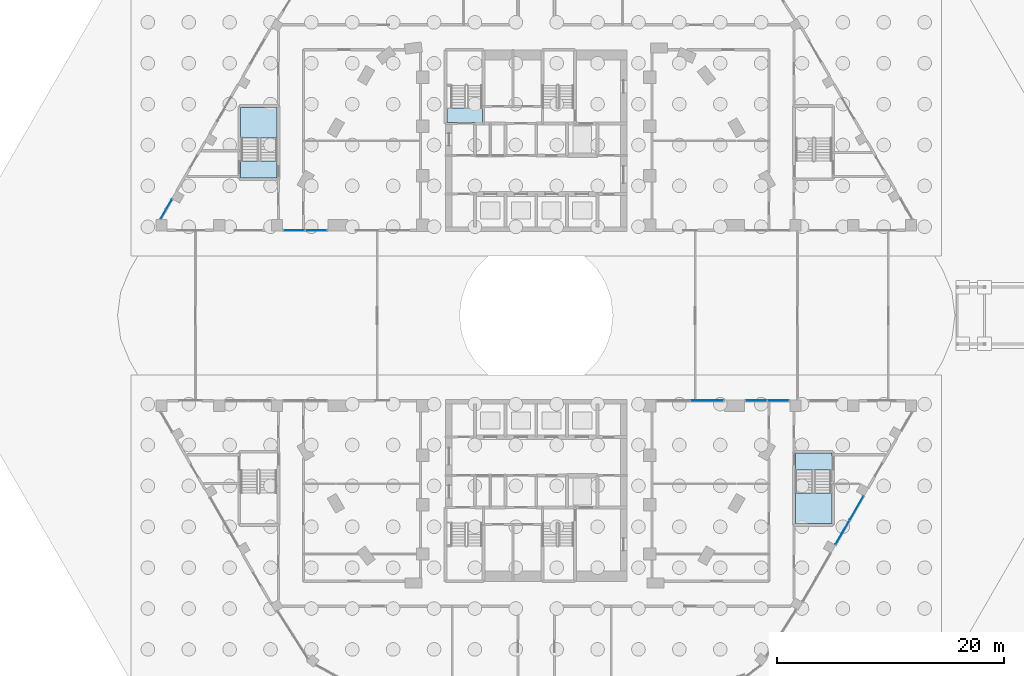
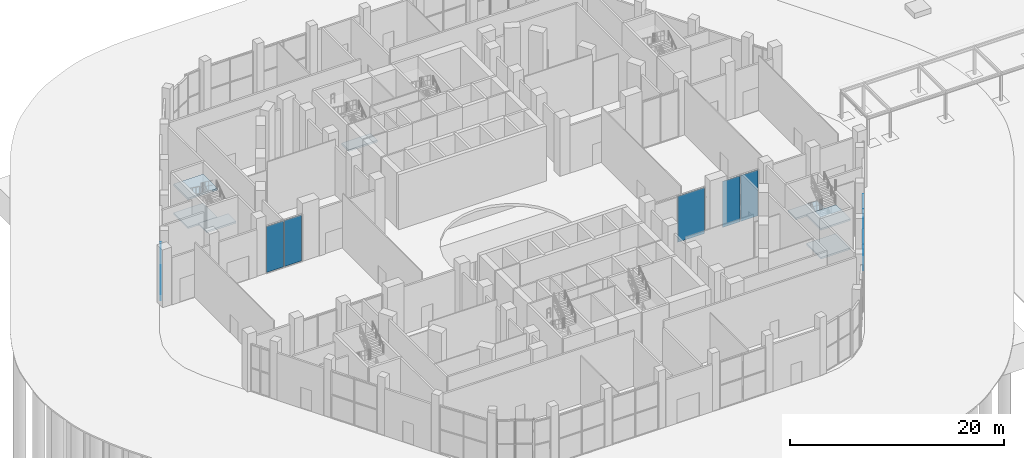
# One storey, part 19 of 44: 13 plates, 7 slabs, 8 elements without a shape of their own.
"""IFC4 building model written with IfcOpenShell, lengths in metres."""

from ifc_helpers import new_model, si_unit, direction, frame, origin, origin_2d, place, context, subcontext, project, spatial, polyline, rectangle, outline, extrude, material, layer, layer_set, type_object, element, aggregate, save


model = new_model("IFC4")

# Units and contexts
model_context = context("Model", 3, precision=1e-05, world=origin(), true_north=direction((0.0, 1.0)))
body_context = subcontext(model_context, "Body", "Model", "MODEL_VIEW")
ifc_project = project(units=[si_unit("LENGTHUNIT", "METRE"), si_unit("AREAUNIT", "SQUARE_METRE"), si_unit("VOLUMEUNIT", "CUBIC_METRE"), si_unit("PLANEANGLEUNIT", "RADIAN"), si_unit("MASSUNIT", "GRAM", prefix="KILO")], contexts=[model_context])

# Site, building, storey
site_placement = place(None, origin())
site = spatial("IfcSite", under=ifc_project, at=site_placement, CompositionType="ELEMENT")
building_placement = place(site_placement, origin())
building = spatial("IfcBuilding", under=site, at=building_placement, Name="Nakaniwa Court", CompositionType="ELEMENT")
storey_placement = place(building_placement, origin())
storey = spatial("IfcBuildingStorey", under=building, at=storey_placement, Name="L00", CompositionType="ELEMENT", Elevation=0.0)

# Curtain wall, plates
ifc_material_1 = material(Name="Black anodised aluminium frame with dark low-E laminated double glazing", Category="aluminium")
ifc_layer_1 = layer(ifc_material_1, 0.199951171875)
ifc_layer_set_1 = layer_set([ifc_layer_1], Name="Black anodised aluminium frame with dark low-E laminated double glazing")
curtain_wall_type_1 = type_object("IfcCurtainWallType", Name="Concourse stick curtain wall", PredefinedType="NOTDEFINED", material=ifc_layer_set_1)
curtain_wall_1_placement = place(storey_placement, origin())
curtain_wall_1 = element("IfcCurtainWall", 1, at=curtain_wall_1_placement, inside=storey, type_object=curtain_wall_type_1, Name="L00 curtain wall CW2 01", PredefinedType="NOTDEFINED")
ifc_material_2 = material(Name="Dark toughened glass", Category="glass")
ifc_layer_2 = layer(ifc_material_2, 0.006, Name="Outer pane")
ifc_material_3 = material(Name="Argon filled cavity")
ifc_layer_3 = layer(ifc_material_3, 0.016, Name="Cavity")
ifc_material_4 = material(Name="Dark laminated safety glass", Category="glass")
ifc_layer_4 = layer(ifc_material_4, 0.006, Name="Inner pane")
ifc_layer_set_2 = layer_set([ifc_layer_2, ifc_layer_3, ifc_layer_4], Name="Dark low-E laminated double glazing")
plate_type_1 = type_object("IfcPlateType", Name="Concourse stick curtain wall glass panel", PredefinedType="CURTAIN_PANEL", material=ifc_layer_set_2)
plate_1_placement = place(storey_placement, frame((106.95703125, 60.89111328125, 0.06005859375), z_axis=(0.0, 0.0, 1.0), x_axis=(0.499987941889, 0.866032365426, 0.0)))
plate_1 = element("IfcPlate", 2, at=plate_1_placement, type_object=plate_type_1, Name="CW2 panel 1.1", PredefinedType="CURTAIN_PANEL", context=body_context, shape_type="SweptSolid", body=[
    extrude(rectangle(XDim=2.4150390625, YDim=0.028076171875, at=origin_2d()), origin(), (0.0, 0.0, 1.0), 2.610107421875),
])
plate_2_placement = place(storey_placement, frame((106.95703125, 60.89111328125, 2.72998046875), z_axis=(0.0, 0.0, 1.0), x_axis=(0.499987941889, 0.866032365426, 0.0)))
plate_2 = element("IfcPlate", 3, at=plate_2_placement, type_object=plate_type_1, Name="CW2 panel 1.2", PredefinedType="CURTAIN_PANEL", context=body_context, shape_type="SweptSolid", body=[
    extrude(rectangle(XDim=2.4150390625, YDim=0.028076171875, at=origin_2d()), origin(), (0.0, 0.0, 1.0), 2.610107421875),
])
plate_3_placement = place(storey_placement, frame((108.194580078125, 63.03466796875, 0.06005859375), z_axis=(0.0, 0.0, 1.0), x_axis=(0.499987941889, 0.866032365426, 0.0)))
plate_3 = element("IfcPlate", 4, at=plate_3_placement, type_object=plate_type_1, Name="CW2 panel 2.1", PredefinedType="CURTAIN_PANEL", context=body_context, shape_type="SweptSolid", body=[
    extrude(rectangle(XDim=2.4150390625, YDim=0.028076171875, at=origin_2d()), origin(), (0.0, 0.0, 1.0), 2.610107421875),
])
plate_4_placement = place(storey_placement, frame((108.194580078125, 63.03466796875, 2.72998046875), z_axis=(0.0, 0.0, 1.0), x_axis=(0.499987941889, 0.866032365426, 0.0)))
plate_4 = element("IfcPlate", 5, at=plate_4_placement, type_object=plate_type_1, Name="CW2 panel 2.2", PredefinedType="CURTAIN_PANEL", context=body_context, shape_type="SweptSolid", body=[
    extrude(rectangle(XDim=2.4150390625, YDim=0.028076171875, at=origin_2d()), origin(), (0.0, 0.0, 1.0), 2.610107421875),
])
aggregate(curtain_wall_1, [plate_1, plate_2, plate_3, plate_4])

curtain_wall_2_placement = place(storey_placement, origin())
curtain_wall_2 = element("IfcCurtainWall", 6, at=curtain_wall_2_placement, inside=storey, type_object=curtain_wall_type_1, Name="L00 curtain wall CW2 30", PredefinedType="NOTDEFINED")
plate_5_placement = place(storey_placement, frame((47.672607421875, 89.80712890625, 0.06005859375), z_axis=(0.0, 0.0, 1.0), x_axis=(-0.499982305557, -0.866035619435, 0.0)))
plate_5 = element("IfcPlate", 7, at=plate_5_placement, type_object=plate_type_1, Name="CW2 panel 1.1", PredefinedType="CURTAIN_PANEL", context=body_context, shape_type="SweptSolid", body=[
    extrude(rectangle(XDim=0.9482421875, YDim=0.028076171875, at=origin_2d()), origin(), (0.0, 0.0, 1.0), 2.610107421875),
])
plate_6_placement = place(storey_placement, frame((47.672607421875, 89.80712890625, 2.72998046875), z_axis=(0.0, 0.0, 1.0), x_axis=(-0.499982305557, -0.866035619435, 0.0)))
plate_6 = element("IfcPlate", 8, at=plate_6_placement, type_object=plate_type_1, Name="CW2 panel 1.2", PredefinedType="CURTAIN_PANEL", context=body_context, shape_type="SweptSolid", body=[
    extrude(rectangle(XDim=0.9482421875, YDim=0.028076171875, at=origin_2d()), origin(), (0.0, 0.0, 1.0), 2.610107421875),
])
plate_7_placement = place(storey_placement, frame((47.16845703125, 88.93408203125, 0.06005859375), z_axis=(0.0, 0.0, 1.0), x_axis=(-0.499982305557, -0.866035619435, 0.0)))
plate_7 = element("IfcPlate", 9, at=plate_7_placement, type_object=plate_type_1, Name="CW2 panel 2.1", PredefinedType="CURTAIN_PANEL", context=body_context, shape_type="SweptSolid", body=[
    extrude(rectangle(XDim=0.9482421875, YDim=0.028076171875, at=origin_2d()), origin(), (0.0, 0.0, 1.0), 2.610107421875),
])
plate_8_placement = place(storey_placement, frame((47.16845703125, 88.93408203125, 2.72998046875), z_axis=(0.0, 0.0, 1.0), x_axis=(-0.499982305557, -0.866035619435, 0.0)))
plate_8 = element("IfcPlate", 10, at=plate_8_placement, type_object=plate_type_1, Name="CW2 panel 2.2", PredefinedType="CURTAIN_PANEL", context=body_context, shape_type="SweptSolid", body=[
    extrude(rectangle(XDim=0.9482421875, YDim=0.028076171875, at=origin_2d()), origin(), (0.0, 0.0, 1.0), 2.610107421875),
])
aggregate(curtain_wall_2, [plate_5, plate_6, plate_7, plate_8])

ifc_layer_5 = layer(ifc_material_1, 0.199951171875)
ifc_layer_set_3 = layer_set([ifc_layer_5], Name="Black anodised aluminium frame with dark low-E laminated double glazing")
curtain_wall_type_2 = type_object("IfcCurtainWallType", Name="Portal side curtain wall", PredefinedType="NOTDEFINED", material=ifc_layer_set_3)
curtain_wall_3_placement = place(storey_placement, origin())
curtain_wall_3 = element("IfcCurtainWall", 11, at=curtain_wall_3_placement, inside=storey, type_object=curtain_wall_type_2, Name="L00 curtain wall CW5 06", PredefinedType="NOTDEFINED")
ifc_layer_6 = layer(ifc_material_2, 0.009, Name="Outer pane")
ifc_layer_7 = layer(ifc_material_3, 0.016, Name="Cavity")
ifc_layer_8 = layer(ifc_material_4, 0.009, Name="Inner pane")
ifc_layer_set_4 = layer_set([ifc_layer_6, ifc_layer_7, ifc_layer_8], Name="Dark low-E laminated double glazing")
plate_type_2 = type_object("IfcPlateType", Name="Portal side curtain wall glass panel", PredefinedType="CURTAIN_PANEL", material=ifc_layer_set_4)
plate_9_placement = place(storey_placement, frame((101.31494140625, 72.5, 0.06494140625), z_axis=(0.0, 0.0, 1.0), x_axis=(-1.0, 0.0, 0.0)))
plate_9 = element("IfcPlate", 12, at=plate_9_placement, type_object=plate_type_2, Name="CW5 panel 1.1", PredefinedType="CURTAIN_PANEL", context=body_context, shape_type="SweptSolid", body=[
    extrude(rectangle(XDim=1.8740234375, YDim=0.033935546875, at=origin_2d()), origin(), (0.0, 0.0, 1.0), 5.27001953125),
])
plate_10_placement = place(storey_placement, frame((99.365966796875, 72.5, 0.06494140625), z_axis=(0.0, 0.0, 1.0), x_axis=(-1.0, 0.0, 0.0)))
plate_10 = element("IfcPlate", 13, at=plate_10_placement, type_object=plate_type_2, Name="CW5 panel 2.1", PredefinedType="CURTAIN_PANEL", context=body_context, shape_type="SweptSolid", body=[
    extrude(rectangle(XDim=1.8740234375, YDim=0.033935546875, at=origin_2d()), origin(), (0.0, 0.0, 1.0), 5.27001953125),
])
aggregate(curtain_wall_3, [plate_9, plate_10])

# Curtain wall, plate
curtain_wall_4_placement = place(storey_placement, origin())
curtain_wall_4 = element("IfcCurtainWall", 14, at=curtain_wall_4_placement, inside=storey, type_object=curtain_wall_type_2, Name="L00 curtain wall CW5 07", PredefinedType="NOTDEFINED")
plate_11_placement = place(storey_placement, frame((95.039306640625, 72.5, 0.06494140625), z_axis=(0.0, 0.0, 1.0), x_axis=(-1.0, 0.0, 0.0)))
plate_11 = element("IfcPlate", 15, at=plate_11_placement, type_object=plate_type_2, Name="CW5 panel 1.1", PredefinedType="CURTAIN_PANEL", context=body_context, shape_type="SweptSolid", body=[
    extrude(rectangle(XDim=2.8955078125, YDim=0.033935546875, at=origin_2d()), origin(), (0.0, 0.0, 1.0), 5.27001953125),
])
aggregate(curtain_wall_4, [plate_11])

# Curtain wall, plates
curtain_wall_5_placement = place(storey_placement, origin())
curtain_wall_5 = element("IfcCurtainWall", 16, at=curtain_wall_5_placement, inside=storey, type_object=curtain_wall_type_2, Name="L00 curtain wall CW5 33", PredefinedType="NOTDEFINED")
plate_12_placement = place(storey_placement, frame((58.68505859375, 87.5, 0.06494140625), z_axis=(0.0, 0.0, 1.0), x_axis=(1.0, 0.0, 0.0)))
plate_12 = element("IfcPlate", 17, at=plate_12_placement, type_object=plate_type_2, Name="CW5 panel 1.1", PredefinedType="CURTAIN_PANEL", context=body_context, shape_type="SweptSolid", body=[
    extrude(rectangle(XDim=1.8740234375, YDim=0.033935546875, at=origin_2d()), origin(), (0.0, 0.0, 1.0), 5.27001953125),
])
plate_13_placement = place(storey_placement, frame((60.634033203125, 87.5, 0.06494140625), z_axis=(0.0, 0.0, 1.0), x_axis=(1.0, 0.0, 0.0)))
plate_13 = element("IfcPlate", 18, at=plate_13_placement, type_object=plate_type_2, Name="CW5 panel 2.1", PredefinedType="CURTAIN_PANEL", context=body_context, shape_type="SweptSolid", body=[
    extrude(rectangle(XDim=1.8740234375, YDim=0.033935546875, at=origin_2d()), origin(), (0.0, 0.0, 1.0), 5.27001953125),
])
aggregate(curtain_wall_5, [plate_12, plate_13])

# Stair, slab
ifc_material_5 = material(Name="Concrete C80/100", Category="concrete")
stair_type_1 = type_object("IfcStairType", Name="Dog leg stair 1300 wide 36 risers", PredefinedType="HALF_TURN_STAIR", material=ifc_material_5)
stair_1_placement = place(storey_placement, origin())
stair_1 = element("IfcStair", 19, at=stair_1_placement, inside=storey, type_object=stair_type_1, Name="L00 Stair ST1", PredefinedType="HALF_TURN_STAIR")
ifc_layer_9 = layer(ifc_material_5, 0.199951171875)
ifc_layer_set_5 = layer_set([ifc_layer_9], Name="Concrete C80/100")
slab_type = type_object("IfcSlabType", Name="Stair landing concrete", PredefinedType="LANDING", material=ifc_layer_set_5)
slab_1_placement = place(storey_placement, frame((0.0, 0.0, 3.10009765625)))
slab_1 = element("IfcSlab", 20, at=slab_1_placement, type_object=slab_type, Name="ST1 landing 2", PredefinedType="LANDING", context=body_context, shape_type="SweptSolid", body=[
    extrude(outline(polyline([(75.27490234375, 96.97509765625), (75.27490234375, 98.27490234375), (72.125, 98.27490234375), (72.125, 96.97509765625), (75.27490234375, 96.97509765625)])), origin(), (0.0, 0.0, 1.0), 0.199951171875),
])
aggregate(stair_1, [slab_1])

# Stair, slabs
stair_type_2 = type_object("IfcStairType", Name="Dog leg stair 1500 wide 36 risers", PredefinedType="HALF_TURN_STAIR", material=ifc_material_5)
stair_2_placement = place(storey_placement, origin())
stair_2 = element("IfcStair", 21, at=stair_2_placement, inside=storey, type_object=stair_type_2, Name="L00 Stair SS2", PredefinedType="HALF_TURN_STAIR")
slab_2_placement = place(storey_placement, frame((0.0, 0.0, 1.449951171875)))
slab_2 = element("IfcSlab", 22, at=slab_2_placement, type_object=slab_type, Name="SS2 landing 1", PredefinedType="LANDING", context=body_context, shape_type="SweptSolid", body=[
    extrude(outline(polyline([(57.175048828125, 95.625), (57.175048828125, 98.324951171875), (53.97509765625, 98.324951171875), (53.97509765625, 95.625), (57.175048828125, 95.625)])), origin(), (0.0, 0.0, 1.0), 0.199951171875),
])
slab_3_placement = place(storey_placement, frame((0.0, 0.0, 3.10009765625)))
slab_3 = element("IfcSlab", 23, at=slab_3_placement, type_object=slab_type, Name="SS2 landing 2", PredefinedType="LANDING", context=body_context, shape_type="SweptSolid", body=[
    extrude(outline(polyline([(57.175048828125, 92.125), (57.175048828125, 93.625), (53.97509765625, 93.625), (53.97509765625, 92.125), (57.175048828125, 92.125)])), origin(), (0.0, 0.0, 1.0), 0.199951171875),
])
slab_4_placement = place(storey_placement, frame((0.0, 0.0, 4.75)))
slab_4 = element("IfcSlab", 24, at=slab_4_placement, type_object=slab_type, Name="SS2 landing 3", PredefinedType="LANDING", context=body_context, shape_type="SweptSolid", body=[
    extrude(outline(polyline([(57.175048828125, 95.625), (57.175048828125, 98.324951171875), (53.97509765625, 98.324951171875), (53.97509765625, 95.625), (57.175048828125, 95.625)])), origin(), (0.0, 0.0, 1.0), 0.199951171875),
])
aggregate(stair_2, [slab_2, slab_3, slab_4])

stair_3_placement = place(storey_placement, origin())
stair_3 = element("IfcStair", 25, at=stair_3_placement, inside=storey, type_object=stair_type_2, Name="L00 Stair SS3", PredefinedType="HALF_TURN_STAIR")
slab_5_placement = place(storey_placement, frame((0.0, 0.0, 1.449951171875)))
slab_5 = element("IfcSlab", 26, at=slab_5_placement, type_object=slab_type, Name="SS3 landing 1", PredefinedType="LANDING", context=body_context, shape_type="SweptSolid", body=[
    extrude(outline(polyline([(106.02490234375, 61.675048828125), (106.02490234375, 64.375), (102.824951171875, 64.375), (102.824951171875, 61.675048828125), (106.02490234375, 61.675048828125)])), origin(), (0.0, 0.0, 1.0), 0.199951171875),
])
slab_6_placement = place(storey_placement, frame((0.0, 0.0, 3.10009765625)))
slab_6 = element("IfcSlab", 27, at=slab_6_placement, type_object=slab_type, Name="SS3 landing 2", PredefinedType="LANDING", context=body_context, shape_type="SweptSolid", body=[
    extrude(outline(polyline([(106.02490234375, 66.375), (106.02490234375, 67.875), (102.824951171875, 67.875), (102.824951171875, 66.375), (106.02490234375, 66.375)])), origin(), (0.0, 0.0, 1.0), 0.199951171875),
])
slab_7_placement = place(storey_placement, frame((0.0, 0.0, 4.75)))
slab_7 = element("IfcSlab", 28, at=slab_7_placement, type_object=slab_type, Name="SS3 landing 3", PredefinedType="LANDING", context=body_context, shape_type="SweptSolid", body=[
    extrude(outline(polyline([(106.02490234375, 61.675048828125), (106.02490234375, 64.375), (102.824951171875, 64.375), (102.824951171875, 61.675048828125), (106.02490234375, 61.675048828125)])), origin(), (0.0, 0.0, 1.0), 0.199951171875),
])
aggregate(stair_3, [slab_5, slab_6, slab_7])

save(model, "model.ifc")
